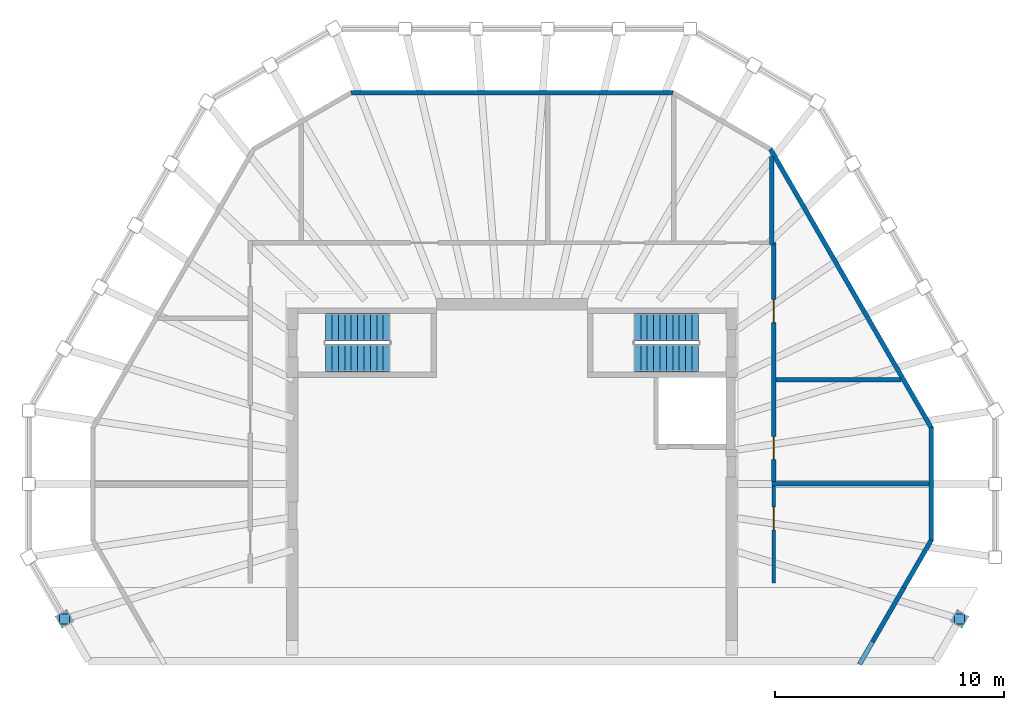
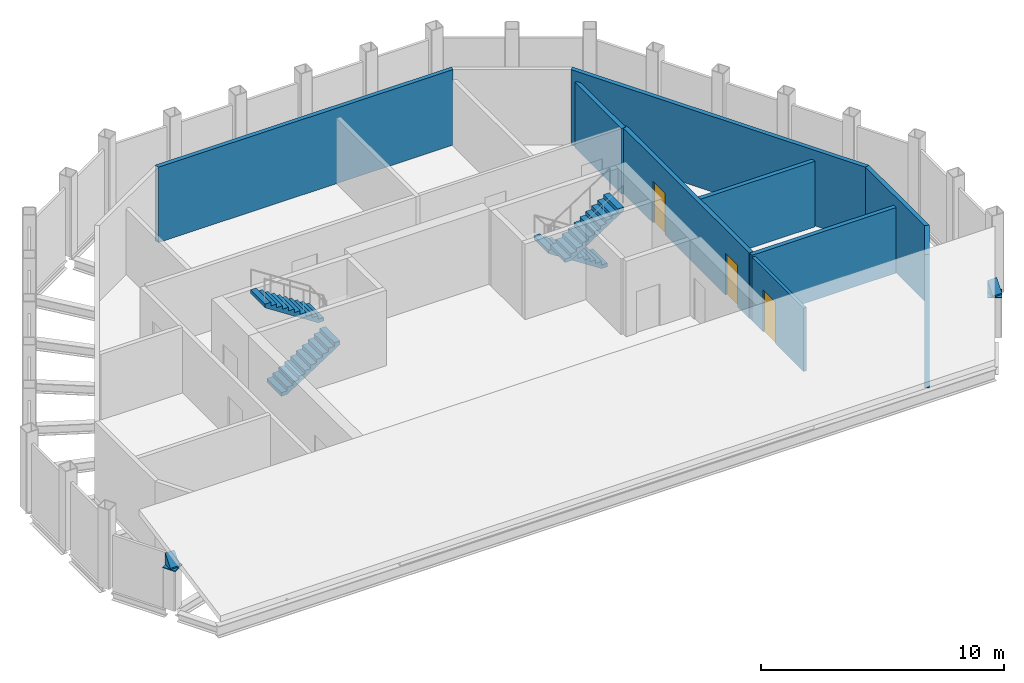
# One storey, part 3 of 4: 10 walls, 4 discrete accessories, 4 stair flights, 3 doors, 3 openings, 2 elements without a shape of their own.
"""IFC4 building model written with IfcOpenShell, lengths in metres."""

from ifc_helpers import new_model, si_unit, direction, frame, frame_2d, origin, origin_2d, place, context, subcontext, project, spatial, polyline, rectangle, outline, extrude, material, layer, layer_set, type_object, element, fill, aggregate, save


model = new_model("IFC4")

# Units and contexts
model_context = context("Model", 3, precision=1e-05, world=origin(), true_north=direction((0.0, 1.0)))
body_context = subcontext(model_context, "Body", "Model", "MODEL_VIEW")
ifc_project = project(units=[si_unit("LENGTHUNIT", "METRE"), si_unit("AREAUNIT", "SQUARE_METRE"), si_unit("VOLUMEUNIT", "CUBIC_METRE"), si_unit("PLANEANGLEUNIT", "RADIAN"), si_unit("MASSUNIT", "GRAM", prefix="KILO")], contexts=[model_context])

# Site, building, storey
site_placement = place(None, origin())
site = spatial("IfcSite", under=ifc_project, at=site_placement, CompositionType="ELEMENT")
building_placement = place(site_placement, origin())
building = spatial("IfcBuilding", under=site, at=building_placement, Name="Frailejon Research Tower", CompositionType="ELEMENT")
storey_placement = place(building_placement, frame((0.0, 0.0, 360.60009765625)))
storey = spatial("IfcBuildingStorey", under=building, at=storey_placement, Name="L81", CompositionType="ELEMENT", Elevation=360.60009765625)

# Wall, opening, door
ifc_material_1 = material(Name="Gypsum board and masonry partition", Category="masonry")
ifc_layer_1 = layer(ifc_material_1, 0.14990234375)
ifc_layer_set_1 = layer_set([ifc_layer_1], Name="Corridor wall EI 60, gypsum on steel studs 150")
wall_type_1 = type_object("IfcWallType", Name="Corridor wall EI 60, gypsum on steel studs 150", PredefinedType="PARTITIONING", material=ifc_layer_set_1)
wall_1_placement = place(storey_placement, frame((11.449951171875, -4.330078125, 0.0), z_axis=(0.0, 0.0, 1.0), x_axis=(0.0, 1.0, 0.0)))
wall_1 = element("IfcWall", 1, at=wall_1_placement, inside=storey, type_object=wall_type_1, Name="T:IW:L81:002", PredefinedType="PARTITIONING", context=body_context, shape_type="SweptSolid", body=[
    extrude(rectangle(XDim=4.22998046875, YDim=0.14990234375, at=frame_2d((2.114990234375, 0.0))), origin(), (0.0, 0.0, 1.0), 3.199951171875),
])
opening_1_placement = place(wall_1_placement, frame((2.32275390625, 0.0, 0.0)))
opening_1 = element("IfcOpeningElement", 2, at=opening_1_placement, cuts=wall_1, Name="Opening D1211", PredefinedType="OPENING", context=body_context, shape_type="SweptSolid", body=[
    extrude(rectangle(XDim=1.0, YDim=2.10009765625, at=frame_2d((0.5, 1.050048828125))), frame((0.0, 0.0849609375, 0.0), z_axis=(0.0, -1.0, 0.0), x_axis=(1.0, 0.0, 0.0)), (0.0, 0.0, 1.0), 0.169921875),
])
ifc_material_2 = material(Name="Timber door leaf", Category="wood")
door_type_1 = type_object("IfcDoorType", Name="Door single leaf, timber, steel frame 1000", OperationType="NOTDEFINED", PredefinedType="DOOR", material=ifc_material_2)
door_1_placement = place(opening_1_placement, origin())
door_1 = element("IfcDoor", 3, at=door_1_placement, inside=storey, type_object=door_type_1, Name="D1211", OperationType="SINGLE_SWING_LEFT", OverallHeight=2.10009765625, OverallWidth=1.0, PredefinedType="DOOR", context=body_context, shape_type="SweptSolid", body=[
    extrude(rectangle(XDim=1.0, YDim=2.10009765625, at=frame_2d((0.5, 1.050048828125))), frame((0.0, 0.02490234375, 0.0), z_axis=(0.0, -1.0, 0.0), x_axis=(1.0, 0.0, 0.0)), (0.0, 0.0, 1.0), 0.050048828125),
])
fill(opening_1, door_1)

# Walls
ifc_material_3 = material(Name="Aluminium louvre cladding panel", Category="aluminium")
ifc_layer_2 = layer(ifc_material_3, 0.199951171875)
ifc_layer_set_2 = layer_set([ifc_layer_2], Name="Crown louvred wall 200")
wall_type_2 = type_object("IfcWallType", Name="Crown louvred wall 200", PredefinedType="SOLIDWALL", material=ifc_layer_set_2)
wall_2_placement = place(storey_placement, frame((18.327392578125, -2.455810546875, 0.0), z_axis=(0.0, 0.0, 1.0), x_axis=(0.0, 1.0, 0.0)))
element("IfcWall", 4, at=wall_2_placement, inside=storey, type_object=wall_type_2, Name="Crown louvred wall L81", PredefinedType="SOLIDWALL", context=body_context, shape_type="SweptSolid", body=[
    extrude(outline(polyline([(-0.02685546875, -0.10009765625), (4.9384765625, -0.10009765625), (4.884765625, 0.10009765625), (0.02685546875, 0.10009765625), (-0.02685546875, -0.10009765625)])), origin(), (0.0, 0.0, 1.0), 3.7998046875),
])
wall_3_placement = place(storey_placement, frame((18.327392578125, 2.455810546875, 0.0), z_axis=(0.0, 0.0, 1.0), x_axis=(-0.499991740577, 0.866030172312, 0.0)))
element("IfcWall", 5, at=wall_3_placement, inside=storey, type_object=wall_type_2, Name="Crown louvred wall L81", PredefinedType="SOLIDWALL", context=body_context, shape_type="SweptSolid", body=[
    extrude(outline(polyline([(-0.02685546875, -0.10009765625), (14.100830078125, -0.10009765625), (14.047119140625, 0.10009765625), (0.02685546875, 0.10009765625), (-0.02685546875, -0.10009765625)])), origin(), (0.0, 0.0, 1.0), 3.7998046875),
])
wall_4_placement = place(storey_placement, frame((7.037109375, 17.10009765625, 0.0), z_axis=(0.0, 0.0, 1.0), x_axis=(-1.0, 0.0, 0.0)))
element("IfcWall", 6, at=wall_4_placement, inside=storey, type_object=wall_type_2, Name="Crown louvred wall L81", PredefinedType="SOLIDWALL", context=body_context, shape_type="SweptSolid", body=[
    extrude(outline(polyline([(-0.02685546875, -0.10009765625), (14.10107421875, -0.10009765625), (14.04736328125, 0.10009765625), (0.02685546875, 0.10009765625), (-0.02685546875, -0.10009765625)])), origin(), (0.0, 0.0, 1.0), 3.7998046875),
])
wall_5_placement = place(storey_placement, frame((15.19189453125, -7.88671875, 0.0), z_axis=(0.0, 0.0, 1.0), x_axis=(0.500027802648, 0.866009351323, 0.0)))
element("IfcWall", 7, at=wall_5_placement, inside=storey, type_object=wall_type_2, Name="Crown louvred wall L81", PredefinedType="SOLIDWALL", context=body_context, shape_type="SweptSolid", body=[
    extrude(outline(polyline([(0.0, 0.0), (3.875732421875, 0.0), (3.87548828125, 4.0), (0.0, 0.02978515625), (0.0, 0.0)])), frame((0.0, 0.10009765625, 0.0), z_axis=(0.0, -1.0, 0.0), x_axis=(1.0, 0.0, 0.0)), (0.0, 0.0, 1.0), 0.199951171875),
])
wall_6_placement = place(storey_placement, frame((17.1298828125, -4.5302734375, 0.0), z_axis=(0.0, 0.0, 1.0), x_axis=(0.499943030081, 0.866058292884, 0.0)))
element("IfcWall", 8, at=wall_6_placement, inside=storey, type_object=wall_type_2, Name="Crown louvred wall L81", PredefinedType="SOLIDWALL", context=body_context, shape_type="SweptSolid", body=[
    extrude(outline(polyline([(0.0, -0.10009765625), (2.422119140625, -0.10009765625), (2.368408203125, 0.10009765625), (0.0, 0.10009765625), (0.0, -0.10009765625)])), origin(), (0.0, 0.0, 1.0), 3.7998046875),
])

# Wall, openings, doors
ifc_material_4 = material(Name="Gypsum board and masonry partition", Category="masonry")
ifc_layer_3 = layer(ifc_material_4, 0.199951171875)
ifc_layer_set_3 = layer_set([ifc_layer_3], Name="Plant enclosure wall, blockwork 200")
wall_type_3 = type_object("IfcWallType", Name="Plant enclosure wall, blockwork 200", PredefinedType="PARTITIONING", material=ifc_layer_set_3)
wall_7_placement = place(storey_placement, frame((11.449951171875, 0.10009765625, 0.0), z_axis=(0.0, 0.0, 1.0), x_axis=(0.0, 1.0, 0.0)))
wall_7 = element("IfcWall", 9, at=wall_7_placement, inside=storey, type_object=wall_type_3, Name="T:IW:L81:003", PredefinedType="PARTITIONING", context=body_context, shape_type="SweptSolid", body=[
    extrude(rectangle(XDim=10.449951171875, YDim=0.199951171875, at=frame_2d((5.22509765625, 0.0))), origin(), (0.0, 0.0, 1.0), 3.2998046875),
])
opening_2_placement = place(wall_7_placement, frame((0.96337890625, 0.0, 0.0)))
opening_2 = element("IfcOpeningElement", 10, at=opening_2_placement, cuts=wall_7, Name="Opening D1203", PredefinedType="OPENING", context=body_context, shape_type="SweptSolid", body=[
    extrude(rectangle(XDim=1.0, YDim=2.10009765625, at=frame_2d((0.5, 1.050048828125))), frame((0.0, 0.10986328125, 0.0), z_axis=(0.0, -1.0, 0.0), x_axis=(1.0, 0.0, 0.0)), (0.0, 0.0, 1.0), 0.219970703125),
])
opening_3_placement = place(wall_7_placement, frame((6.951904296875, 0.0, 0.0)))
opening_3 = element("IfcOpeningElement", 11, at=opening_3_placement, cuts=wall_7, Name="Opening D1204", PredefinedType="OPENING", context=body_context, shape_type="SweptSolid", body=[
    extrude(rectangle(XDim=1.0, YDim=2.10009765625, at=frame_2d((0.5, 1.050048828125))), frame((0.0, 0.10986328125, 0.0), z_axis=(0.0, -1.0, 0.0), x_axis=(1.0, 0.0, 0.0)), (0.0, 0.0, 1.0), 0.219970703125),
])
ifc_material_5 = material(Name="Steel door leaf", Category="steel")
door_type_2 = type_object("IfcDoorType", Name="Door plant room, steel 1000", OperationType="NOTDEFINED", PredefinedType="DOOR", material=ifc_material_5)
door_2_placement = place(opening_2_placement, origin())
door_2 = element("IfcDoor", 12, at=door_2_placement, inside=storey, type_object=door_type_2, Name="D1203", OperationType="SINGLE_SWING_RIGHT", OverallHeight=2.10009765625, OverallWidth=1.0, PredefinedType="DOOR", context=body_context, shape_type="SweptSolid", body=[
    extrude(rectangle(XDim=1.0, YDim=2.10009765625, at=frame_2d((0.5, 1.050048828125))), frame((0.0, 0.02490234375, 0.0), z_axis=(0.0, -1.0, 0.0), x_axis=(1.0, 0.0, 0.0)), (0.0, 0.0, 1.0), 0.050048828125),
])
fill(opening_2, door_2)
door_3_placement = place(opening_3_placement, origin())
door_3 = element("IfcDoor", 13, at=door_3_placement, inside=storey, type_object=door_type_2, Name="D1204", OperationType="SINGLE_SWING_RIGHT", OverallHeight=2.10009765625, OverallWidth=1.0, PredefinedType="DOOR", context=body_context, shape_type="SweptSolid", body=[
    extrude(rectangle(XDim=1.0, YDim=2.10009765625, at=frame_2d((0.5, 1.050048828125))), frame((0.0, 0.02490234375, 0.0), z_axis=(0.0, -1.0, 0.0), x_axis=(1.0, 0.0, 0.0)), (0.0, 0.0, 1.0), 0.050048828125),
])
fill(opening_3, door_3)

# Walls
wall_8_placement = place(storey_placement, frame((11.550048828125, 4.5537109375, 0.0), z_axis=(0.0, 0.0, 1.0), x_axis=(1.0, 0.0, 0.0)))
element("IfcWall", 14, at=wall_8_placement, inside=storey, type_object=wall_type_3, Name="T:IW:L81:006", PredefinedType="PARTITIONING", context=body_context, shape_type="SweptSolid", body=[
    extrude(rectangle(XDim=5.450927734375, YDim=0.199951171875, at=frame_2d((2.7255859375, 0.0))), origin(), (0.0, 0.0, 1.0), 3.2998046875),
])
wall_9_placement = place(storey_placement, frame((11.375, 0.0, 0.0), z_axis=(0.0, 0.0, 1.0), x_axis=(1.0, 0.0, 0.0)))
element("IfcWall", 15, at=wall_9_placement, inside=storey, type_object=wall_type_3, Name="T:IW:L81:008", PredefinedType="PARTITIONING", context=body_context, shape_type="SweptSolid", body=[
    extrude(rectangle(XDim=6.8525390625, YDim=0.199951171875, at=frame_2d((3.42626953125, 0.0))), origin(), (0.0, 0.0, 1.0), 3.2998046875),
])
wall_10_placement = place(storey_placement, frame((11.36376953125, 10.47509765625, 0.0), z_axis=(0.0, 0.0, 1.0), x_axis=(0.0, 1.0, 0.0)))
element("IfcWall", 16, at=wall_10_placement, inside=storey, type_object=wall_type_3, Name="T:IW:L81:009", PredefinedType="PARTITIONING", context=body_context, shape_type="SweptSolid", body=[
    extrude(rectangle(XDim=3.84228515625, YDim=0.199951171875, at=frame_2d((1.921142578125, 0.0))), origin(), (0.0, 0.0, 1.0), 3.2998046875),
])

# Stair, stair flights
ifc_material_6 = material(Name="Concrete C50/60", Category="concrete")
stair_type = type_object("IfcStairType", Name="Exit stair 22 risers", PredefinedType="HALF_TURN_STAIR", material=ifc_material_6)
stair_1_placement = place(storey_placement, origin())
stair_1 = element("IfcStair", 17, at=stair_1_placement, inside=storey, type_object=stair_type, Name="L81 Exit stair ST1", PredefinedType="HALF_TURN_STAIR")
ifc_material_7 = material(Name="Concrete C50/60", Category="concrete")
ifc_layer_4 = layer(ifc_material_7, 0.14990234375)
ifc_layer_set_4 = layer_set([ifc_layer_4], Name="Stair flight 11 risers")
stair_flight_type = type_object("IfcStairFlightType", Name="Stair flight 11 risers", PredefinedType="STRAIGHT", material=ifc_layer_set_4)
stair_flight_1_placement = place(storey_placement, frame((-8.14990234375, 5.5, 0.0), z_axis=(0.0, 0.0, 1.0), x_axis=(1.0, 0.0, 0.0)))
stair_flight_1 = element("IfcStairFlight", 18, at=stair_flight_1_placement, type_object=stair_flight_type, Name="ST1 flight 1", NumberOfRisers=11, NumberOfTreads=10, PredefinedType="STRAIGHT", RiserHeight=0.181818182, TreadLength=0.28, context=body_context, shape_type="SweptSolid", body=[
    extrude(outline(polyline([(0.0, 0.0), (0.0, 0.181884765625), (0.280029296875, 0.181884765625), (0.280029296875, 0.363525390625), (0.56005859375, 0.363525390625), (0.56005859375, 0.54541015625), (0.840087890625, 0.54541015625), (0.840087890625, 0.727294921875), (1.1201171875, 0.727294921875), (1.1201171875, 0.9091796875), (1.39990234375, 0.9091796875), (1.39990234375, 1.0908203125), (1.679931640625, 1.0908203125), (1.679931640625, 1.272705078125), (1.9599609375, 1.272705078125), (1.9599609375, 1.45458984375), (2.239990234375, 1.45458984375), (2.239990234375, 1.636474609375), (2.52001953125, 1.636474609375), (2.52001953125, 1.818115234375), (2.800048828125, 1.818115234375), (2.800048828125, 2.0), (2.800048828125, 1.639404296875), (0.275146484375, 0.0), (0.0, 0.0)])), frame((0.0, 0.60009765625, 0.0), z_axis=(0.0, -1.0, 0.0), x_axis=(1.0, 0.0, 0.0)), (0.0, 0.0, 1.0), 1.199951171875),
])
stair_flight_2_placement = place(storey_placement, frame((-5.35009765625, 6.85009765625, 2.0), z_axis=(0.0, 0.0, 1.0), x_axis=(-1.0, 0.0, 0.0)))
stair_flight_2 = element("IfcStairFlight", 19, at=stair_flight_2_placement, type_object=stair_flight_type, Name="ST1 flight 2", NumberOfRisers=11, NumberOfTreads=10, PredefinedType="STRAIGHT", RiserHeight=0.181818182, TreadLength=0.28, context=body_context, shape_type="SweptSolid", body=[
    extrude(outline(polyline([(0.0, 0.0), (0.0, 0.181884765625), (0.280029296875, 0.181884765625), (0.280029296875, 0.363525390625), (0.56005859375, 0.363525390625), (0.56005859375, 0.54541015625), (0.840087890625, 0.54541015625), (0.840087890625, 0.727294921875), (1.1201171875, 0.727294921875), (1.1201171875, 0.9091796875), (1.39990234375, 0.9091796875), (1.39990234375, 1.0908203125), (1.679931640625, 1.0908203125), (1.679931640625, 1.272705078125), (1.9599609375, 1.272705078125), (1.9599609375, 1.45458984375), (2.239990234375, 1.45458984375), (2.239990234375, 1.636474609375), (2.52001953125, 1.636474609375), (2.52001953125, 1.818115234375), (2.800048828125, 1.818115234375), (2.800048828125, 2.0), (2.800048828125, 1.639404296875), (0.275146484375, 0.0), (0.0, 0.0)])), frame((0.0, 0.60009765625, 0.0), z_axis=(0.0, -1.0, 0.0), x_axis=(1.0, 0.0, 0.0)), (0.0, 0.0, 1.0), 1.199951171875),
])
aggregate(stair_1, [stair_flight_1, stair_flight_2])

stair_2_placement = place(storey_placement, origin())
stair_2 = element("IfcStair", 20, at=stair_2_placement, inside=storey, type_object=stair_type, Name="L81 Exit stair ST3", PredefinedType="HALF_TURN_STAIR")
stair_flight_3_placement = place(storey_placement, frame((8.14990234375, 6.85009765625, 0.0), z_axis=(0.0, 0.0, 1.0), x_axis=(-1.0, 0.0, 0.0)))
stair_flight_3 = element("IfcStairFlight", 21, at=stair_flight_3_placement, type_object=stair_flight_type, Name="ST3 flight 1", NumberOfRisers=11, NumberOfTreads=10, PredefinedType="STRAIGHT", RiserHeight=0.181818182, TreadLength=0.28, context=body_context, shape_type="SweptSolid", body=[
    extrude(outline(polyline([(0.0, 0.0), (0.0, 0.181884765625), (0.280029296875, 0.181884765625), (0.280029296875, 0.363525390625), (0.56005859375, 0.363525390625), (0.56005859375, 0.54541015625), (0.840087890625, 0.54541015625), (0.840087890625, 0.727294921875), (1.1201171875, 0.727294921875), (1.1201171875, 0.9091796875), (1.39990234375, 0.9091796875), (1.39990234375, 1.0908203125), (1.679931640625, 1.0908203125), (1.679931640625, 1.272705078125), (1.9599609375, 1.272705078125), (1.9599609375, 1.45458984375), (2.239990234375, 1.45458984375), (2.239990234375, 1.636474609375), (2.52001953125, 1.636474609375), (2.52001953125, 1.818115234375), (2.800048828125, 1.818115234375), (2.800048828125, 2.0), (2.800048828125, 1.639404296875), (0.275146484375, 0.0), (0.0, 0.0)])), frame((0.0, 0.60009765625, 0.0), z_axis=(0.0, -1.0, 0.0), x_axis=(1.0, 0.0, 0.0)), (0.0, 0.0, 1.0), 1.199951171875),
])
stair_flight_4_placement = place(storey_placement, frame((5.35009765625, 5.5, 2.0), z_axis=(0.0, 0.0, 1.0), x_axis=(1.0, 0.0, 0.0)))
stair_flight_4 = element("IfcStairFlight", 22, at=stair_flight_4_placement, type_object=stair_flight_type, Name="ST3 flight 2", NumberOfRisers=11, NumberOfTreads=10, PredefinedType="STRAIGHT", RiserHeight=0.181818182, TreadLength=0.28, context=body_context, shape_type="SweptSolid", body=[
    extrude(outline(polyline([(0.0, 0.0), (0.0, 0.181884765625), (0.280029296875, 0.181884765625), (0.280029296875, 0.363525390625), (0.56005859375, 0.363525390625), (0.56005859375, 0.54541015625), (0.840087890625, 0.54541015625), (0.840087890625, 0.727294921875), (1.1201171875, 0.727294921875), (1.1201171875, 0.9091796875), (1.39990234375, 0.9091796875), (1.39990234375, 1.0908203125), (1.679931640625, 1.0908203125), (1.679931640625, 1.272705078125), (1.9599609375, 1.272705078125), (1.9599609375, 1.45458984375), (2.239990234375, 1.45458984375), (2.239990234375, 1.636474609375), (2.52001953125, 1.636474609375), (2.52001953125, 1.818115234375), (2.800048828125, 1.818115234375), (2.800048828125, 2.0), (2.800048828125, 1.639404296875), (0.275146484375, 0.0), (0.0, 0.0)])), frame((0.0, 0.60009765625, 0.0), z_axis=(0.0, -1.0, 0.0), x_axis=(1.0, 0.0, 0.0)), (0.0, 0.0, 1.0), 1.199951171875),
])
aggregate(stair_2, [stair_flight_3, stair_flight_4])

# Discrete accessories
for number, where, z_axis, x_axis, name in (
    (23, (-19.789794921875, -5.903564453125, 2.005615234375), (1.0, 0.0, 0.0), (0.0, 1.0, 0.0), "Crown column bearing wedge"),
    (24, (19.3505859375, -5.903564453125, 2.005615234375), (1.0, 0.0, 0.0), (0.0, 1.0, 0.0), "Crown column bearing wedge"),
):
    element("IfcDiscreteAccessory", number, at=place(storey_placement, frame(where, z_axis=z_axis, x_axis=x_axis)), inside=storey, Name=name, PredefinedType="ANCHORPLATE", context=body_context, shape_type="SweptSolid", body=[
        extrude(outline(polyline([(-0.219482421875, 0.0), (0.219482421875, 0.0), (0.219482421875, 0.619384765625), (-0.219482421875, 0.095703125), (-0.219482421875, 0.0)])), origin(), (0.0, 0.0, 1.0), 0.439208984375),
    ])
for number, where, z_axis, x_axis, name in (
    (25, (-19.570068359375, -5.903564453125, 2.005615234375), (0.0, 0.0, 1.0), (0.5, -0.866025403784, 0.0), "Crown column end plate"),
    (26, (19.570068359375, -5.903564453125, 2.005615234375), (0.0, 0.0, 1.0), (0.5, 0.866025403784, 0.0), "Crown column end plate"),
):
    element("IfcDiscreteAccessory", number, at=place(storey_placement, frame(where, z_axis=z_axis, x_axis=x_axis)), inside=storey, Name=name, PredefinedType="ANCHORPLATE", context=body_context, shape_type="SweptSolid", body=[
        extrude(rectangle(XDim=0.60009765625, YDim=0.60009765625, at=origin_2d()), origin(), (0.0, 0.0, 1.0), 0.030029296875),
    ])

save(model, "model.ifc")
